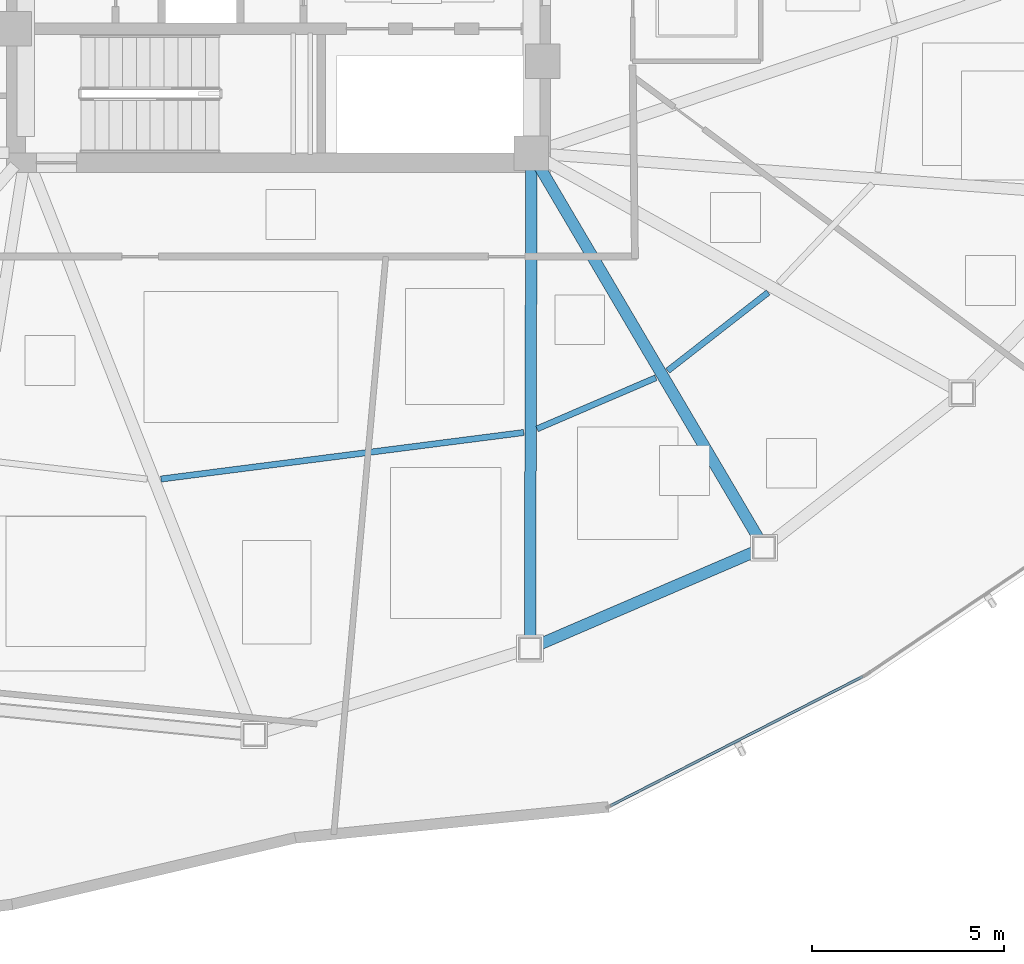
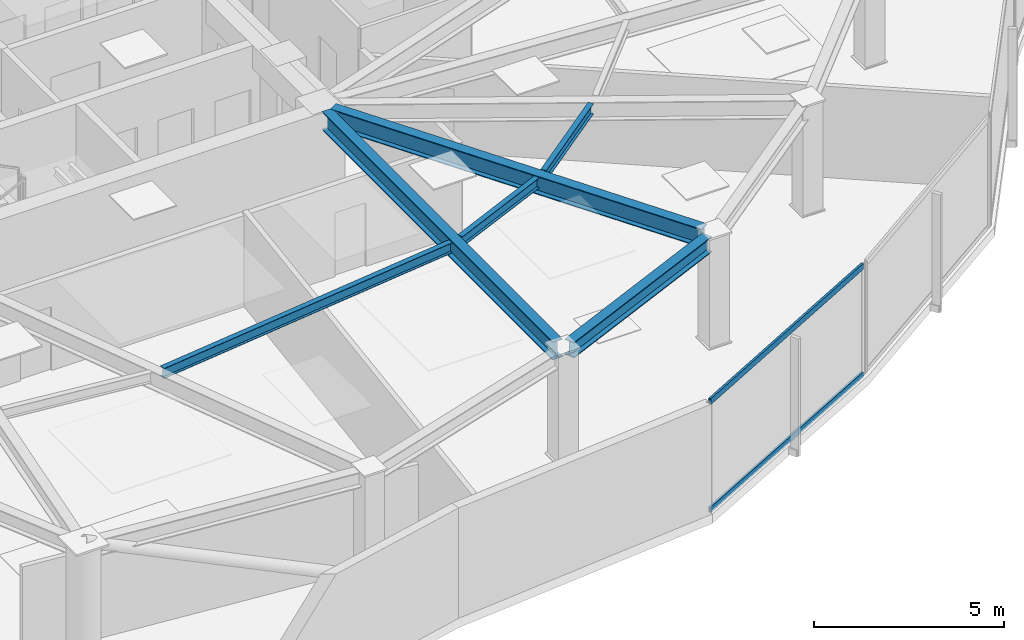
# One storey, part 3 of 17: 6 beams, 2 members, 1 element without a shape of its own.
"""IFC4 building model written with IfcOpenShell, lengths in metres."""

from ifc_helpers import new_model, si_unit, direction, frame, origin, origin_2d, place, context, subcontext, project, spatial, hollow_rectangle, i_section, extrude, source, transform, mapped, material, layer, layer_set, material_profile, profile_set, type_object, type_shapes, element, aggregate, save


model = new_model("IFC4")

# Units and contexts
model_context = context("Model", 3, precision=1e-05, world=origin(), true_north=direction((0.0, 1.0)))
body_context = subcontext(model_context, "Body", "Model", "MODEL_VIEW")
ifc_project = project(units=[si_unit("LENGTHUNIT", "METRE"), si_unit("AREAUNIT", "SQUARE_METRE"), si_unit("VOLUMEUNIT", "CUBIC_METRE"), si_unit("PLANEANGLEUNIT", "RADIAN"), si_unit("MASSUNIT", "GRAM", prefix="KILO")], contexts=[model_context])

# Site, building, storey
site_placement = place(None, origin())
site = spatial("IfcSite", under=ifc_project, at=site_placement, CompositionType="ELEMENT")
building_placement = place(site_placement, origin())
building = spatial("IfcBuilding", under=site, at=building_placement, Name="Tavelor Broadcast Tower", CompositionType="ELEMENT")
storey_placement = place(building_placement, frame((0.0, 0.0, 161.800048828125)))
storey = spatial("IfcBuildingStorey", under=building, at=storey_placement, Name="L38", CompositionType="ELEMENT", Elevation=161.800048828125)

# Beams
ifc_material_1 = material(Name="Steel S355", Category="steel")
ifc_material_profile_1 = material_profile(ifc_material_1, i_section(OverallWidth=0.159912109375, OverallDepth=0.330078125, WebThickness=0.007568359375, FlangeThickness=0.011474609375, at=origin_2d()), Name="IPE 330")
ifc_profile_set_1 = profile_set([ifc_material_profile_1], Name="Steel S355")
beam_type_1 = type_object("IfcBeamType", Name="Composite Floor Joist T4 IPE 330", PredefinedType="JOIST", material=ifc_profile_set_1)
beam_1_placement = place(storey_placement, frame((46.931396484375, 30.294921875, 3.385009765625), z_axis=(0.991879761862, 0.127179157129, 0.0), x_axis=(-0.127179157129, 0.991879761862, 0.0)))
element("IfcBeam", 1, at=beam_1_placement, inside=storey, type_object=beam_type_1, Name="L38 Secondary Composite Floor Joist 08", PredefinedType="JOIST", context=body_context, shape_type="SweptSolid", body=[
    extrude(i_section(OverallWidth=0.159912109375, OverallDepth=0.330078125, WebThickness=0.007568359375, FlangeThickness=0.011474609375, at=origin_2d()), origin(), (0.0, 0.0, 1.0), 9.54443359375),
])
beam_2_placement = place(storey_placement, frame((56.744384765625, 31.603515625, 3.385009765625), z_axis=(0.918692008618, 0.394974674254, 0.0), x_axis=(-0.394974674254, 0.918692008618, 0.0)))
element("IfcBeam", 2, at=beam_2_placement, inside=storey, type_object=beam_type_1, Name="L38 Secondary Composite Floor Joist 09", PredefinedType="JOIST", context=body_context, shape_type="SweptSolid", body=[
    extrude(i_section(OverallWidth=0.159912109375, OverallDepth=0.330078125, WebThickness=0.007568359375, FlangeThickness=0.011474609375, at=origin_2d()), origin(), (0.0, 0.0, 1.0), 3.37744140625),
])
beam_3_placement = place(storey_placement, frame((60.156005859375, 33.120361328125, 3.385009765625), z_axis=(0.788651848012, 0.614840030112, 0.0), x_axis=(-0.614840030112, 0.788651848012, 0.0)))
element("IfcBeam", 3, at=beam_3_placement, inside=storey, type_object=beam_type_1, Name="L38 Secondary Composite Floor Joist 10", PredefinedType="JOIST", context=body_context, shape_type="SweptSolid", body=[
    extrude(i_section(OverallWidth=0.159912109375, OverallDepth=0.330078125, WebThickness=0.007568359375, FlangeThickness=0.011474609375, at=origin_2d()), origin(), (0.0, 0.0, 1.0), 3.32470703125),
])
ifc_material_profile_2 = material_profile(ifc_material_1, i_section(OverallWidth=0.300048828125, OverallDepth=0.5, WebThickness=0.014404296875, FlangeThickness=0.028076171875, at=origin_2d()), Name="HEB 500")
ifc_profile_set_2 = profile_set([ifc_material_profile_2], Name="Steel S355")
beam_type_2 = type_object("IfcBeamType", Name="Perimeter Spandrel Beam T4 HEB 500", PredefinedType="SPANDREL", material=ifc_profile_set_2)
beam_4_placement = place(storey_placement, frame((56.825439453125, 25.98681640625, 3.300048828125), z_axis=(0.91846180915, 0.395509677672, 0.0), x_axis=(-0.395509677672, 0.91846180915, 0.0)))
element("IfcBeam", 4, at=beam_4_placement, inside=storey, type_object=beam_type_2, Name="L38 Framed-Tube Ring Spandrel 09", PredefinedType="SPANDREL", context=body_context, shape_type="SweptSolid", body=[
    extrude(i_section(OverallWidth=0.300048828125, OverallDepth=0.5, WebThickness=0.014404296875, FlangeThickness=0.028076171875, at=origin_2d()), origin(), (0.0, 0.0, 1.0), 6.07470703125),
])
ifc_material_profile_3 = material_profile(ifc_material_1, i_section(OverallWidth=0.300048828125, OverallDepth=0.590087890625, WebThickness=0.012939453125, FlangeThickness=0.02490234375, at=origin_2d()), Name="HEA 600")
ifc_profile_set_3 = profile_set([ifc_material_profile_3], Name="Steel S355")
beam_type_3 = type_object("IfcBeamType", Name="Radial Floor Girder T4 HEA 600", PredefinedType="BEAM", material=ifc_profile_set_3)
beam_5_placement = place(storey_placement, frame((56.5986328125, 38.367919921875, 3.2548828125), z_axis=(-0.0029999865, -0.99999550003, 0.0), x_axis=(0.99999550003, -0.0029999865, 0.0)))
element("IfcBeam", 5, at=beam_5_placement, inside=storey, type_object=beam_type_3, Name="L38 Radial Primary Floor Girder 09", PredefinedType="BEAM", context=body_context, shape_type="SweptSolid", body=[
    extrude(i_section(OverallWidth=0.300048828125, OverallDepth=0.590087890625, WebThickness=0.012939453125, FlangeThickness=0.02490234375, at=origin_2d()), origin(), (0.0, 0.0, 1.0), 12.20703125),
])
beam_6_placement = place(storey_placement, frame((56.8193359375, 38.427734375, 3.2548828125), z_axis=(0.50778362975, -0.861484640233, 0.0), x_axis=(0.861484640233, 0.50778362975, 0.0)))
element("IfcBeam", 6, at=beam_6_placement, inside=storey, type_object=beam_type_3, Name="L38 Radial Primary Floor Girder 10", PredefinedType="BEAM", context=body_context, shape_type="SweptSolid", body=[
    extrude(i_section(OverallWidth=0.300048828125, OverallDepth=0.590087890625, WebThickness=0.012939453125, FlangeThickness=0.02490234375, at=origin_2d()), origin(), (0.0, 0.0, 1.0), 11.232421875),
])

# Curtain wall, members
ifc_material_2 = material(Name="Architectural Anodized Aluminium", Category="aluminium")
ifc_layer = layer(ifc_material_2, 0.18994140625)
ifc_layer_set = layer_set([ifc_layer], Name="Architectural Anodized Aluminium")
curtain_wall_type = type_object("IfcCurtainWallType", Name="Tower Mid-Zone Acoustic Curtain Wall CW03", PredefinedType="NOTDEFINED", material=ifc_layer_set)
curtain_wall_placement = place(storey_placement, origin())
curtain_wall = element("IfcCurtainWall", 7, at=curtain_wall_placement, inside=storey, type_object=curtain_wall_type, Name="L38 Curtain Wall CW03 Run 401", PredefinedType="NOTDEFINED")
ifc_material_profile_4 = material_profile(ifc_material_2, hollow_rectangle(XDim=0.068115234375, YDim=0.18994140625, WallThickness=0.02197265625, at=origin_2d()), Name="RHS 68x190x22")
ifc_profile_set_4 = profile_set([ifc_material_profile_4], Name="Architectural Anodized Aluminium")
member_type = type_object("IfcMemberType", Name="CW03 Extruded Aluminium Transom 68x190", PredefinedType="USERDEFINED", material=ifc_profile_set_4)
shared_shape = source(origin(), body_context, "Body", "SweptSolid", [
    extrude(hollow_rectangle(XDim=0.068115234375, YDim=0.18994140625, WallThickness=0.02197265625, at=origin_2d()), origin(), (0.0, 0.0, 1.0), 7.403076171875),
])
type_shapes(member_type, [shared_shape])
member_1_placement = place(storey_placement, frame((58.658935546875, 21.7666015625, 0.033935546875), z_axis=(0.890004851321, 0.455951055075, 0.0), x_axis=(-0.455951055075, 0.890004851321, 0.0)))
member_1 = element("IfcMember", 8, at=member_1_placement, type_object=member_type, Name="CW03 transom 1.1", ObjectType="TRANSOM", PredefinedType="USERDEFINED", context=body_context, shape_type="MappedRepresentation", body=[
    mapped(shared_shape, transform((0.0, 0.0, 0.0), scale=1.0)),
])
member_2_placement = place(storey_placement, frame((58.658935546875, 21.7666015625, 3.515869140625), z_axis=(0.890004851321, 0.455951055075, 0.0), x_axis=(-0.455951055075, 0.890004851321, 0.0)))
member_2 = element("IfcMember", 9, at=member_2_placement, type_object=member_type, Name="CW03 transom 1.2", ObjectType="TRANSOM", PredefinedType="USERDEFINED", context=body_context, shape_type="MappedRepresentation", body=[
    mapped(shared_shape, transform((0.0, 0.0, 0.0), scale=1.0)),
])
aggregate(curtain_wall, [member_1, member_2])

save(model, "model.ifc")
